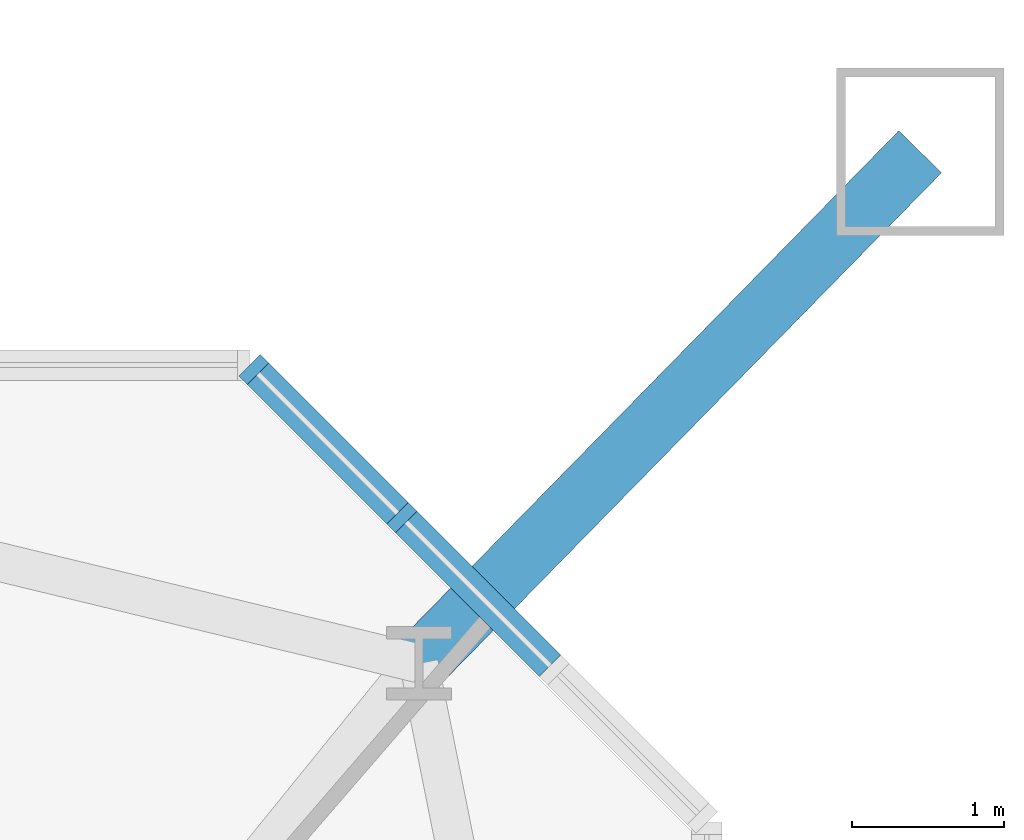
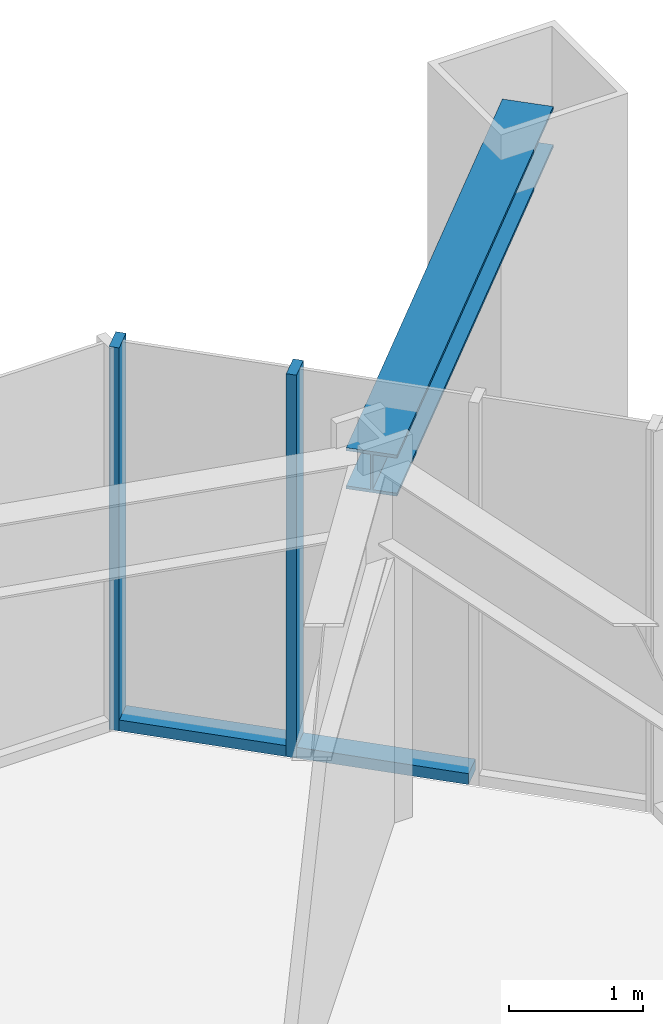
# One storey, part 10 of 25: 5 members, 1 element without a shape of its own.
"""IFC4 building model written with IfcOpenShell, lengths in metres."""

import ifcopenshell
import ifcopenshell.guid

model = None  # the IFC model being written
_history = None  # IfcOwnerHistory: only IFC2X3 demands one
_inside = {}  # id of a spatial element -> (the spatial element, [elements in it])
_under = {}  # id of a project, library or spatial element -> (it, [spatial elements below it])
_declared = {}  # id of a project -> (the project, [libraries it declares])
_typed = {}  # id of a type object -> (the type object, [elements of that type])
_made_of = {}  # id of a material, layer set ... -> (it, [elements and type objects made of it])


def new_model(schema):
    """Start an empty IFC model of exactly this schema.

    Asked for "IFC4X3", IfcOpenShell would pick the latest addendum, in which some entities
    have other attributes; the version numbers below select the first issue.
    IFC2X3 requires an IfcOwnerHistory on every rooted entity: one is made here for all.
    """
    global model, _history
    if schema == "IFC4X3":
        model = ifcopenshell.file(schema_version=(4, 3, 0, 0))
    else:
        model = ifcopenshell.file(schema=schema)
    _inside.clear()
    _under.clear()
    _declared.clear()
    _typed.clear()
    _made_of.clear()
    _history = None
    if model.schema == "IFC2X3":
        org = make("IfcOrganization", Name="unknown")
        user = make(
            "IfcPersonAndOrganization",
            ThePerson=make("IfcPerson", FamilyName="unknown"),
            TheOrganization=org,
        )
        app = make(
            "IfcApplication",
            ApplicationDeveloper=org,
            Version="unknown",
            ApplicationFullName="unknown",
            ApplicationIdentifier="unknown",
        )
        _history = make(
            "IfcOwnerHistory",
            OwningUser=user,
            OwningApplication=app,
            ChangeAction="ADDED",
            CreationDate=0,
        )
    return model


def make(cls, **values):
    """One entity of the class cls with the attributes given. An attribute that is None is left unset."""
    return model.create_entity(
        cls, **{name: value for name, value in values.items() if value is not None}
    )


def rooted(cls, **values):
    """An entity with a GlobalId (a new one), such as an element, a storey or a relation."""
    return make(cls, GlobalId=ifcopenshell.guid.new(), OwnerHistory=_history, **values)


def si_unit(unit_type, name, prefix=None):
    """IfcSIUnit, for example si_unit("LENGTHUNIT", "METRE", prefix="MILLI")."""
    return make("IfcSIUnit", UnitType=unit_type, Prefix=prefix, Name=name)


def assignment(units):
    """IfcUnitAssignment: the units of a project."""
    return None if units is None else make("IfcUnitAssignment", Units=units)


def point(xyz):
    """IfcCartesianPoint."""
    return None if xyz is None else make("IfcCartesianPoint", Coordinates=xyz)


def direction(xyz):
    """IfcDirection."""
    return None if xyz is None else make("IfcDirection", DirectionRatios=xyz)


def frame(location, z_axis=None, x_axis=None):
    """IfcAxis2Placement3D, a coordinate frame: its origin and axes. An axis left out is left unset."""
    return make(
        "IfcAxis2Placement3D",
        Location=point(location),
        Axis=direction(z_axis),
        RefDirection=direction(x_axis),
    )


def frame_2d(location, x_axis=None):
    """IfcAxis2Placement2D, a coordinate frame in the plane: its origin and x axis."""
    return make(
        "IfcAxis2Placement2D", Location=point(location), RefDirection=direction(x_axis)
    )


def origin():
    """The frame at (0, 0, 0) with its axes left unset."""
    return frame((0.0, 0.0, 0.0))


def origin_2d():
    """The frame at (0, 0) in the plane with its x axis left unset."""
    return frame_2d((0.0, 0.0))


def place(relative_to, where):
    """IfcLocalPlacement: puts the frame where relative to a parent placement (None: the world)."""
    return make(
        "IfcLocalPlacement", PlacementRelTo=relative_to, RelativePlacement=where
    )


def context(
    kind, dimensions, precision=None, world=None, true_north=None, identifier=None
):
    """IfcGeometricRepresentationContext, for example the 3D "Model" context."""
    return make(
        "IfcGeometricRepresentationContext",
        ContextIdentifier=identifier,
        ContextType=kind,
        CoordinateSpaceDimension=dimensions,
        Precision=precision,
        WorldCoordinateSystem=world,
        TrueNorth=true_north,
    )


def subcontext(parent, identifier, kind, view, scale=None):
    """IfcGeometricRepresentationSubContext, for example "Body" below "Model"."""
    return make(
        "IfcGeometricRepresentationSubContext",
        ContextIdentifier=identifier,
        ContextType=kind,
        ParentContext=parent,
        TargetScale=scale,
        TargetView=view,
    )


def project(units=None, contexts=None):
    """IfcProject with its units and contexts."""
    return rooted(
        "IfcProject",
        Name="project",
        RepresentationContexts=contexts,
        UnitsInContext=assignment(units),
    )


def spatial(cls, under=None, at=None, **own):
    """A site, building, storey or space (cls), placed at a placement, below another one or the project."""
    s = rooted(cls, ObjectPlacement=at, **own)
    if under is not None:
        _under.setdefault(under.id(), (under, []))[1].append(s)
    return s


def profile(cls, at=None, kind="AREA", **sizes):
    """A parametric profile (cls). Its sizes go by their IFC names, for example OverallWidth=200.0."""
    return make(cls, ProfileType=kind, Position=at, **sizes)


def rectangle(**sizes):
    """IfcRectangleProfileDef."""
    return profile("IfcRectangleProfileDef", **sizes)


def i_section(**sizes):
    """IfcIShapeProfileDef."""
    return profile("IfcIShapeProfileDef", **sizes)


def extrude(swept, where, along, depth):
    """IfcExtrudedAreaSolid: the profile swept, set in the frame where, extruded along a direction by depth."""
    return make(
        "IfcExtrudedAreaSolid",
        SweptArea=swept,
        Position=where,
        ExtrudedDirection=direction(along),
        Depth=depth,
    )


def shape(context_of_items, identifier, shape_type, items):
    """IfcShapeRepresentation: the items that make up one representation, for example the "Body"."""
    return make(
        "IfcShapeRepresentation",
        ContextOfItems=context_of_items,
        RepresentationIdentifier=identifier,
        RepresentationType=shape_type,
        Items=items,
    )


def material(Name=None, Category=None):
    """IfcMaterial."""
    return make("IfcMaterial", Name=Name, Category=Category)


def material_profile(
    of_material, cross_section, Name=None, Category=None, Priority=None
):
    """IfcMaterialProfile: a cross section and its material."""
    return make(
        "IfcMaterialProfile",
        Name=Name,
        Material=of_material,
        Profile=cross_section,
        Priority=Priority,
        Category=Category,
    )


def profile_set(profiles, Name=None, composite=None):
    """IfcMaterialProfileSet."""
    return make(
        "IfcMaterialProfileSet",
        Name=Name,
        MaterialProfiles=profiles,
        CompositeProfile=composite,
    )


def made_of(thing, what):
    """Note that an element or type object is made of a material, layer set ...; save() writes the relation."""
    if what is not None:
        _made_of.setdefault(what.id(), (what, []))[1].append(thing)
    return thing


def type_object(cls, material=None, **own):
    """A type object (cls), such as IfcWallType, which elements share."""
    return made_of(rooted(cls, **own), material)


def element(
    cls,
    number,
    at=None,
    inside=None,
    cuts=None,
    type_object=None,
    material=None,
    context=None,
    identifier="Body",
    shape_type=None,
    held_by="IfcProductDefinitionShape",
    body=None,
    shapes=None,
    **own,
):
    """One element of the class cls, such as IfcWall. Its Tag is "e" and its number.

    at: its placement. inside: the storey or other place that contains it. cuts: it is an
    opening in that element (IfcRelVoidsElement). A single representation is given by context,
    identifier, shape_type and body (its items); several are given by shapes. held_by: the class
    of the entity that holds the representations. save() writes the other relations.
    """
    e = rooted(cls, Tag="e%d" % number, ObjectPlacement=at, **own)
    if body is not None:
        shapes = [shape(context, identifier, shape_type, body)]
    if shapes is not None:
        e.Representation = make(held_by, Representations=shapes)
    if inside is not None:
        _inside.setdefault(inside.id(), (inside, []))[1].append(e)
    if cuts is not None:
        rooted(
            "IfcRelVoidsElement", RelatingBuildingElement=cuts, RelatedOpeningElement=e
        )
    if type_object is not None:
        _typed.setdefault(type_object.id(), (type_object, []))[1].append(e)
    return made_of(e, material)


def aggregate(whole, parts):
    """IfcRelAggregates: a whole, such as a stair, and the parts it consists of."""
    return rooted("IfcRelAggregates", RelatingObject=whole, RelatedObjects=parts)


def save(model, path):
    """Write the relations noted so far, then the file.

    IfcRelAggregates (storeys below a building ...), IfcRelContainedInSpatialStructure (elements
    in a storey), IfcRelDefinesByType, IfcRelAssociatesMaterial and IfcRelDeclares: one each for
    every whole, place, type object, material and project.
    """
    for whole, parts in _under.values():
        aggregate(whole, parts)
    for where, things in _inside.values():
        rooted(
            "IfcRelContainedInSpatialStructure",
            RelatedElements=things,
            RelatingStructure=where,
        )
    for kind, things in _typed.values():
        rooted("IfcRelDefinesByType", RelatedObjects=things, RelatingType=kind)
    for what, things in _made_of.values():
        rooted("IfcRelAssociatesMaterial", RelatedObjects=things, RelatingMaterial=what)
    for by, libraries in _declared.values():
        rooted("IfcRelDeclares", RelatingContext=by, RelatedDefinitions=libraries)
    model.write(path)


model = new_model("IFC4")

# Units and contexts
model_context = context("Model", 3, precision=1e-05, world=origin(), true_north=direction((0.0, 1.0)))
body_context = subcontext(model_context, "Body", "Model", "MODEL_VIEW")
ifc_project = project(units=[si_unit("LENGTHUNIT", "METRE"), si_unit("AREAUNIT", "SQUARE_METRE"), si_unit("VOLUMEUNIT", "CUBIC_METRE"), si_unit("PLANEANGLEUNIT", "RADIAN"), si_unit("MASSUNIT", "GRAM", prefix="KILO")], contexts=[model_context])

# Site, building, storey
site_placement = place(None, origin())
site = spatial("IfcSite", under=ifc_project, at=site_placement, CompositionType="ELEMENT")
building_placement = place(site_placement, origin())
building = spatial("IfcBuilding", under=site, at=building_placement, Name="Iwan Alto Co-Living Towers", CompositionType="ELEMENT")
storey_placement = place(building_placement, frame((0.0, 0.0, 84.0)))
storey = spatial("IfcBuildingStorey", under=building, at=storey_placement, Name="L22", CompositionType="ELEMENT", Elevation=84.0)

# Curtain wall, members
ifc_material_1 = material(Name="Bronze aluminium unitised frame", Category="aluminium")
curtain_wall_type = type_object("IfcCurtainWallType", Name="CURTAIN WALL CW-D", PredefinedType="NOTDEFINED", material=ifc_material_1)
curtain_wall_placement = place(storey_placement, origin())
curtain_wall = element("IfcCurtainWall", 1, at=curtain_wall_placement, inside=storey, type_object=curtain_wall_type, Name="T2 chamfer curtain wall NE L22", PredefinedType="NOTDEFINED")
ifc_material_2 = material(Name="Aluminium 6063-T6 bronze anodised", Category="aluminium")
ifc_material_profile_1 = material_profile(ifc_material_2, rectangle(XDim=0.199951171875, YDim=0.080078125, at=origin_2d()), Name="AL 80X200")
ifc_profile_set_1 = profile_set([ifc_material_profile_1], Name="Aluminium 6063-T6 bronze anodised")
member_type_1 = type_object("IfcMemberType", Name="CW-D MULLION 80X200", PredefinedType="MULLION", material=ifc_profile_set_1)
member_1_placement = place(storey_placement, frame((75.25, 15.5, 0.0), z_axis=(0.0, 0.0, 1.0), x_axis=(-0.707106781187, -0.707106781187, 0.0)))
member_1 = element("IfcMember", 2, at=member_1_placement, type_object=member_type_1, Name="CW-D mullion 3", PredefinedType="MULLION", context=body_context, shape_type="SweptSolid", body=[
    extrude(rectangle(XDim=0.199951171875, YDim=0.080078125, at=origin_2d()), origin(), (0.0, 0.0, 1.0), 3.5),
])
member_2_placement = place(storey_placement, frame((74.2783203125, 16.4716796875, 0.0), z_axis=(0.0, 0.0, 1.0), x_axis=(-0.707106781187, -0.707106781187, 0.0)))
member_2 = element("IfcMember", 3, at=member_2_placement, type_object=member_type_1, Name="CW-D mullion 4", PredefinedType="MULLION", context=body_context, shape_type="SweptSolid", body=[
    extrude(rectangle(XDim=0.199951171875, YDim=0.080078125, at=origin_2d()), origin(), (0.0, 0.0, 1.0), 3.5),
])
ifc_material_3 = material(Name="Aluminium 6063-T6 bronze anodised", Category="aluminium")
ifc_material_profile_2 = material_profile(ifc_material_3, rectangle(XDim=0.199951171875, YDim=0.10009765625, at=origin_2d()), Name="AL 200X100")
ifc_profile_set_2 = profile_set([ifc_material_profile_2], Name="Aluminium 6063-T6 bronze anodised")
member_type_2 = type_object("IfcMemberType", Name="CW-D TRANSOM 200X100", PredefinedType="USERDEFINED", material=ifc_profile_set_2)
member_3_placement = place(storey_placement, frame((76.2216796875, 14.5283203125, 0.050048828125), z_axis=(-0.707106781187, 0.707106781187, 0.0), x_axis=(-0.707106781187, -0.707106781187, 0.0)))
member_3 = element("IfcMember", 4, at=member_3_placement, type_object=member_type_2, Name="CW-D transom 2.1", ObjectType="TRANSOM", PredefinedType="USERDEFINED", context=body_context, shape_type="SweptSolid", body=[
    extrude(rectangle(XDim=0.199951171875, YDim=0.10009765625, at=origin_2d()), origin(), (0.0, 0.0, 1.0), 1.334228515625),
])
member_4_placement = place(storey_placement, frame((75.2216796875, 15.5283203125, 0.050048828125), z_axis=(-0.707106781187, 0.707106781187, 0.0), x_axis=(-0.707106781187, -0.707106781187, 0.0)))
member_4 = element("IfcMember", 5, at=member_4_placement, type_object=member_type_2, Name="CW-D transom 3.1", ObjectType="TRANSOM", PredefinedType="USERDEFINED", context=body_context, shape_type="SweptSolid", body=[
    extrude(rectangle(XDim=0.199951171875, YDim=0.10009765625, at=origin_2d()), origin(), (0.0, 0.0, 1.0), 1.2939453125),
])
aggregate(curtain_wall, [member_1, member_2, member_3, member_4])

# Member
ifc_material_4 = material(Name="Steel ASTM A992 Gr 50", Category="steel")
ifc_material_profile_3 = material_profile(ifc_material_4, i_section(OverallWidth=0.393798828125, OverallDepth=0.3759765625, WebThickness=0.017333984375, FlangeThickness=0.027587890625, at=origin_2d()), Name="W14X145")
ifc_profile_set_3 = profile_set([ifc_material_profile_3], Name="Steel ASTM A992 Gr 50")
member_type_3 = type_object("IfcMemberType", Name="T2 MEGA COLUMN FLOOR TIE W14X145", PredefinedType="STRUT", material=ifc_profile_set_3)
member_5_placement = place(storey_placement, frame((78.64990234375, 17.89990234375, 3.08203125), z_axis=(-0.699770096147, -0.714368121166, 0.0), x_axis=(0.714368121166, -0.699770096147, 0.0)))
element("IfcMember", 6, at=member_5_placement, inside=storey, type_object=member_type_3, Name="T2 mega column floor tie NE L23", PredefinedType="STRUT", context=body_context, shape_type="SweptSolid", body=[
    extrude(i_section(OverallWidth=0.393798828125, OverallDepth=0.3759765625, WebThickness=0.017333984375, FlangeThickness=0.027587890625, at=origin_2d()), origin(), (0.0, 0.0, 1.0), 4.699462890625),
])

save(model, "model.ifc")
